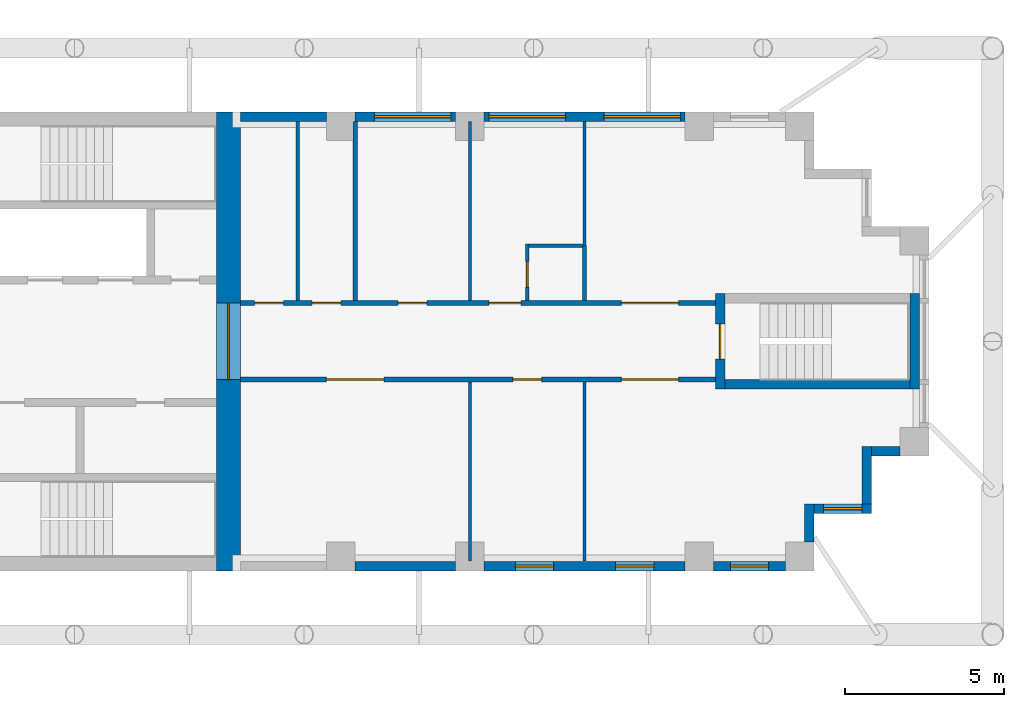
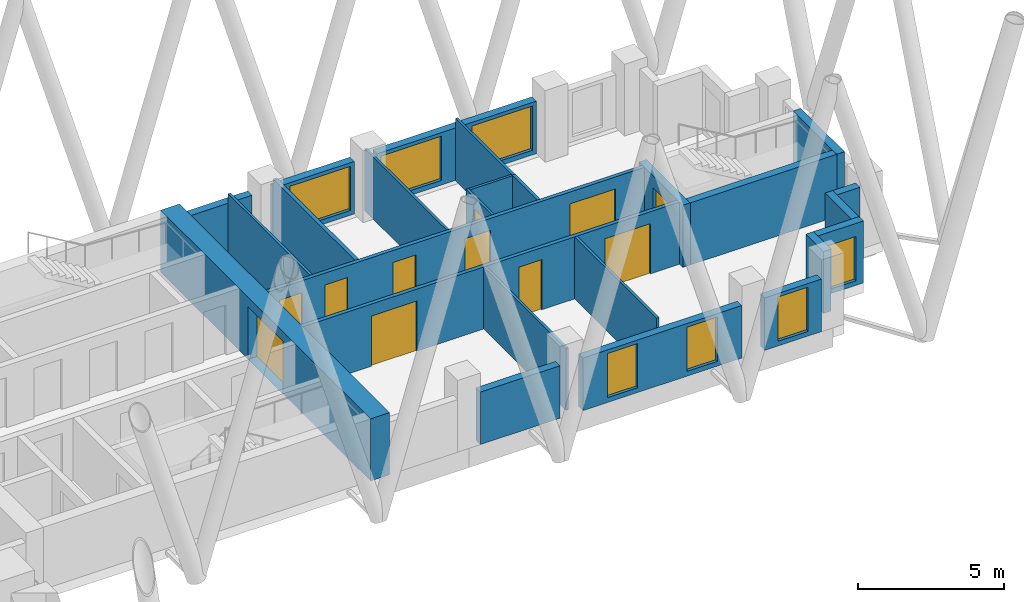
# One storey, part 8 of 12: 25 walls, 11 doors, 7 windows, 18 openings.
"""IFC4 building model written with IfcOpenShell, lengths in metres."""

import ifcopenshell
import ifcopenshell.guid

model = None  # the IFC model being written
_history = None  # IfcOwnerHistory: only IFC2X3 demands one
_inside = {}  # id of a spatial element -> (the spatial element, [elements in it])
_under = {}  # id of a project, library or spatial element -> (it, [spatial elements below it])
_declared = {}  # id of a project -> (the project, [libraries it declares])
_typed = {}  # id of a type object -> (the type object, [elements of that type])
_made_of = {}  # id of a material, layer set ... -> (it, [elements and type objects made of it])


def new_model(schema):
    """Start an empty IFC model of exactly this schema.

    Asked for "IFC4X3", IfcOpenShell would pick the latest addendum, in which some entities
    have other attributes; the version numbers below select the first issue.
    IFC2X3 requires an IfcOwnerHistory on every rooted entity: one is made here for all.
    """
    global model, _history
    if schema == "IFC4X3":
        model = ifcopenshell.file(schema_version=(4, 3, 0, 0))
    else:
        model = ifcopenshell.file(schema=schema)
    _inside.clear()
    _under.clear()
    _declared.clear()
    _typed.clear()
    _made_of.clear()
    _history = None
    if model.schema == "IFC2X3":
        org = make("IfcOrganization", Name="unknown")
        user = make(
            "IfcPersonAndOrganization",
            ThePerson=make("IfcPerson", FamilyName="unknown"),
            TheOrganization=org,
        )
        app = make(
            "IfcApplication",
            ApplicationDeveloper=org,
            Version="unknown",
            ApplicationFullName="unknown",
            ApplicationIdentifier="unknown",
        )
        _history = make(
            "IfcOwnerHistory",
            OwningUser=user,
            OwningApplication=app,
            ChangeAction="ADDED",
            CreationDate=0,
        )
    return model


def make(cls, **values):
    """One entity of the class cls with the attributes given. An attribute that is None is left unset."""
    return model.create_entity(
        cls, **{name: value for name, value in values.items() if value is not None}
    )


def rooted(cls, **values):
    """An entity with a GlobalId (a new one), such as an element, a storey or a relation."""
    return make(cls, GlobalId=ifcopenshell.guid.new(), OwnerHistory=_history, **values)


def si_unit(unit_type, name, prefix=None):
    """IfcSIUnit, for example si_unit("LENGTHUNIT", "METRE", prefix="MILLI")."""
    return make("IfcSIUnit", UnitType=unit_type, Prefix=prefix, Name=name)


def assignment(units):
    """IfcUnitAssignment: the units of a project."""
    return None if units is None else make("IfcUnitAssignment", Units=units)


def point(xyz):
    """IfcCartesianPoint."""
    return None if xyz is None else make("IfcCartesianPoint", Coordinates=xyz)


def direction(xyz):
    """IfcDirection."""
    return None if xyz is None else make("IfcDirection", DirectionRatios=xyz)


def frame(location, z_axis=None, x_axis=None):
    """IfcAxis2Placement3D, a coordinate frame: its origin and axes. An axis left out is left unset."""
    return make(
        "IfcAxis2Placement3D",
        Location=point(location),
        Axis=direction(z_axis),
        RefDirection=direction(x_axis),
    )


def frame_2d(location, x_axis=None):
    """IfcAxis2Placement2D, a coordinate frame in the plane: its origin and x axis."""
    return make(
        "IfcAxis2Placement2D", Location=point(location), RefDirection=direction(x_axis)
    )


def origin():
    """The frame at (0, 0, 0) with its axes left unset."""
    return frame((0.0, 0.0, 0.0))


def place(relative_to, where):
    """IfcLocalPlacement: puts the frame where relative to a parent placement (None: the world)."""
    return make(
        "IfcLocalPlacement", PlacementRelTo=relative_to, RelativePlacement=where
    )


def context(
    kind, dimensions, precision=None, world=None, true_north=None, identifier=None
):
    """IfcGeometricRepresentationContext, for example the 3D "Model" context."""
    return make(
        "IfcGeometricRepresentationContext",
        ContextIdentifier=identifier,
        ContextType=kind,
        CoordinateSpaceDimension=dimensions,
        Precision=precision,
        WorldCoordinateSystem=world,
        TrueNorth=true_north,
    )


def subcontext(parent, identifier, kind, view, scale=None):
    """IfcGeometricRepresentationSubContext, for example "Body" below "Model"."""
    return make(
        "IfcGeometricRepresentationSubContext",
        ContextIdentifier=identifier,
        ContextType=kind,
        ParentContext=parent,
        TargetScale=scale,
        TargetView=view,
    )


def project(units=None, contexts=None):
    """IfcProject with its units and contexts."""
    return rooted(
        "IfcProject",
        Name="project",
        RepresentationContexts=contexts,
        UnitsInContext=assignment(units),
    )


def spatial(cls, under=None, at=None, **own):
    """A site, building, storey or space (cls), placed at a placement, below another one or the project."""
    s = rooted(cls, ObjectPlacement=at, **own)
    if under is not None:
        _under.setdefault(under.id(), (under, []))[1].append(s)
    return s


def profile(cls, at=None, kind="AREA", **sizes):
    """A parametric profile (cls). Its sizes go by their IFC names, for example OverallWidth=200.0."""
    return make(cls, ProfileType=kind, Position=at, **sizes)


def rectangle(**sizes):
    """IfcRectangleProfileDef."""
    return profile("IfcRectangleProfileDef", **sizes)


def extrude(swept, where, along, depth):
    """IfcExtrudedAreaSolid: the profile swept, set in the frame where, extruded along a direction by depth."""
    return make(
        "IfcExtrudedAreaSolid",
        SweptArea=swept,
        Position=where,
        ExtrudedDirection=direction(along),
        Depth=depth,
    )


def shape(context_of_items, identifier, shape_type, items):
    """IfcShapeRepresentation: the items that make up one representation, for example the "Body"."""
    return make(
        "IfcShapeRepresentation",
        ContextOfItems=context_of_items,
        RepresentationIdentifier=identifier,
        RepresentationType=shape_type,
        Items=items,
    )


def material(Name=None, Category=None):
    """IfcMaterial."""
    return make("IfcMaterial", Name=Name, Category=Category)


def layer(
    of_material, thickness, ventilated=None, Name=None, Category=None, Priority=None
):
    """IfcMaterialLayer: one layer of a wall or slab, of a material (None: an air gap)."""
    return make(
        "IfcMaterialLayer",
        Material=of_material,
        LayerThickness=thickness,
        IsVentilated=ventilated,
        Name=Name,
        Category=Category,
        Priority=Priority,
    )


def layer_set(layers, Name=None):
    """IfcMaterialLayerSet."""
    return make("IfcMaterialLayerSet", MaterialLayers=layers, LayerSetName=Name)


def made_of(thing, what):
    """Note that an element or type object is made of a material, layer set ...; save() writes the relation."""
    if what is not None:
        _made_of.setdefault(what.id(), (what, []))[1].append(thing)
    return thing


def type_object(cls, material=None, **own):
    """A type object (cls), such as IfcWallType, which elements share."""
    return made_of(rooted(cls, **own), material)


def element(
    cls,
    number,
    at=None,
    inside=None,
    cuts=None,
    type_object=None,
    material=None,
    context=None,
    identifier="Body",
    shape_type=None,
    held_by="IfcProductDefinitionShape",
    body=None,
    shapes=None,
    **own,
):
    """One element of the class cls, such as IfcWall. Its Tag is "e" and its number.

    at: its placement. inside: the storey or other place that contains it. cuts: it is an
    opening in that element (IfcRelVoidsElement). A single representation is given by context,
    identifier, shape_type and body (its items); several are given by shapes. held_by: the class
    of the entity that holds the representations. save() writes the other relations.
    """
    e = rooted(cls, Tag="e%d" % number, ObjectPlacement=at, **own)
    if body is not None:
        shapes = [shape(context, identifier, shape_type, body)]
    if shapes is not None:
        e.Representation = make(held_by, Representations=shapes)
    if inside is not None:
        _inside.setdefault(inside.id(), (inside, []))[1].append(e)
    if cuts is not None:
        rooted(
            "IfcRelVoidsElement", RelatingBuildingElement=cuts, RelatedOpeningElement=e
        )
    if type_object is not None:
        _typed.setdefault(type_object.id(), (type_object, []))[1].append(e)
    return made_of(e, material)


def fill(opening, filler):
    """IfcRelFillsElement: the door or window that sits in an opening."""
    return rooted(
        "IfcRelFillsElement",
        RelatingOpeningElement=opening,
        RelatedBuildingElement=filler,
    )


def aggregate(whole, parts):
    """IfcRelAggregates: a whole, such as a stair, and the parts it consists of."""
    return rooted("IfcRelAggregates", RelatingObject=whole, RelatedObjects=parts)


def save(model, path):
    """Write the relations noted so far, then the file.

    IfcRelAggregates (storeys below a building ...), IfcRelContainedInSpatialStructure (elements
    in a storey), IfcRelDefinesByType, IfcRelAssociatesMaterial and IfcRelDeclares: one each for
    every whole, place, type object, material and project.
    """
    for whole, parts in _under.values():
        aggregate(whole, parts)
    for where, things in _inside.values():
        rooted(
            "IfcRelContainedInSpatialStructure",
            RelatedElements=things,
            RelatingStructure=where,
        )
    for kind, things in _typed.values():
        rooted("IfcRelDefinesByType", RelatedObjects=things, RelatingType=kind)
    for what, things in _made_of.values():
        rooted("IfcRelAssociatesMaterial", RelatedObjects=things, RelatingMaterial=what)
    for by, libraries in _declared.values():
        rooted("IfcRelDeclares", RelatingContext=by, RelatedDefinitions=libraries)
    model.write(path)


model = new_model("IFC4")

# Units and contexts
model_context = context("Model", 3, precision=1e-05, world=origin(), true_north=direction((0.0, 1.0)))
body_context = subcontext(model_context, "Body", "Model", "MODEL_VIEW")
ifc_project = project(units=[si_unit("LENGTHUNIT", "METRE"), si_unit("AREAUNIT", "SQUARE_METRE"), si_unit("VOLUMEUNIT", "CUBIC_METRE"), si_unit("PLANEANGLEUNIT", "RADIAN"), si_unit("MASSUNIT", "GRAM", prefix="KILO")], contexts=[model_context])

# Site, building, storey
site_placement = place(None, origin())
site = spatial("IfcSite", under=ifc_project, at=site_placement, CompositionType="ELEMENT")
building_placement = place(site_placement, origin())
building = spatial("IfcBuilding", under=site, at=building_placement, Name="Fustian Cross Tower", CompositionType="ELEMENT")
storey_placement = place(building_placement, frame((0.0, 0.0, 141.300048828125)))
storey = spatial("IfcBuildingStorey", under=building, at=storey_placement, Name="L44", CompositionType="ELEMENT", Elevation=141.300048828125)

# Wall, openings, doors
ifc_material_1 = material(Name="Plasterboard on steel stud", Category="steel")
ifc_layer_1 = layer(ifc_material_1, 0.14990234375)
ifc_layer_set_1 = layer_set([ifc_layer_1], Name="Plasterboard on steel stud")
wall_type_1 = type_object("IfcWallType", Name="COMPARTMENT WALL 150 EI 60", PredefinedType="PARTITIONING", material=ifc_layer_set_1)
wall_1_placement = place(storey_placement, frame((21.60009765625, -1.199951171875, 0.0), z_axis=(0.0, 0.0, 1.0), x_axis=(1.0, 0.0, 0.0)))
wall_1 = element("IfcWall", 1, at=wall_1_placement, inside=storey, type_object=wall_type_1, Name="Partition 36", PredefinedType="PARTITIONING", context=body_context, shape_type="SweptSolid", body=[
    extrude(rectangle(XDim=14.89990234375, YDim=0.14990234375, at=frame_2d((7.449951171875, 0.0))), origin(), (0.0, 0.0, 1.0), 2.599853515625),
])
opening_1_placement = place(wall_1_placement, frame((2.699951171875, 0.0, 0.0)))
opening_1 = element("IfcOpeningElement", 2, at=opening_1_placement, cuts=wall_1, Name="Opening D20011", PredefinedType="OPENING", context=body_context, shape_type="SweptSolid", body=[
    extrude(rectangle(XDim=1.800048828125, YDim=2.10009765625, at=frame_2d((0.89990234375, 1.050048828125))), frame((0.0, 0.0849609375, 0.0), z_axis=(0.0, -1.0, 0.0), x_axis=(1.0, 0.0, 0.0)), (0.0, 0.0, 1.0), 0.169921875),
])
opening_2_placement = place(wall_1_placement, frame((8.550048828125, 0.0, 0.0)))
opening_2 = element("IfcOpeningElement", 3, at=opening_2_placement, cuts=wall_1, Name="Opening D20012", PredefinedType="OPENING", context=body_context, shape_type="SweptSolid", body=[
    extrude(rectangle(XDim=0.89990234375, YDim=2.10009765625, at=frame_2d((0.449951171875, 1.050048828125))), frame((0.0, 0.0849609375, 0.0), z_axis=(0.0, -1.0, 0.0), x_axis=(1.0, 0.0, 0.0)), (0.0, 0.0, 1.0), 0.169921875),
])
opening_3_placement = place(wall_1_placement, frame((11.949951171875, 0.0, 0.0)))
opening_3 = element("IfcOpeningElement", 4, at=opening_3_placement, cuts=wall_1, Name="Opening D20013", PredefinedType="OPENING", context=body_context, shape_type="SweptSolid", body=[
    extrude(rectangle(XDim=1.800048828125, YDim=2.10009765625, at=frame_2d((0.89990234375, 1.050048828125))), frame((0.0, 0.0849609375, 0.0), z_axis=(0.0, -1.0, 0.0), x_axis=(1.0, 0.0, 0.0)), (0.0, 0.0, 1.0), 0.169921875),
])
ifc_material_2 = material(Name="Timber fire door set", Category="wood")
door_type_1 = type_object("IfcDoorType", Name="FIRE DOUBLE DOOR 1800 FD30S", OperationType="DOUBLE_DOOR_DOUBLE_SWING", PredefinedType="DOOR", material=ifc_material_2)
door_1_placement = place(opening_1_placement, origin())
door_1 = element("IfcDoor", 5, at=door_1_placement, inside=storey, type_object=door_type_1, Name="Door D20011", OperationType="DOUBLE_DOOR_DOUBLE_SWING", OverallHeight=2.10009765625, OverallWidth=1.800048828125, PredefinedType="DOOR", context=body_context, shape_type="SweptSolid", body=[
    extrude(rectangle(XDim=1.800048828125, YDim=2.10009765625, at=frame_2d((0.89990234375, 1.050048828125))), frame((0.0, 0.02490234375, 0.0), z_axis=(0.0, -1.0, 0.0), x_axis=(1.0, 0.0, 0.0)), (0.0, 0.0, 1.0), 0.050048828125),
])
fill(opening_1, door_1)
door_2_placement = place(opening_3_placement, origin())
door_2 = element("IfcDoor", 6, at=door_2_placement, inside=storey, type_object=door_type_1, Name="Door D20013", OperationType="DOUBLE_DOOR_DOUBLE_SWING", OverallHeight=2.10009765625, OverallWidth=1.800048828125, PredefinedType="DOOR", context=body_context, shape_type="SweptSolid", body=[
    extrude(rectangle(XDim=1.800048828125, YDim=2.10009765625, at=frame_2d((0.89990234375, 1.050048828125))), frame((0.0, 0.02490234375, 0.0), z_axis=(0.0, -1.0, 0.0), x_axis=(1.0, 0.0, 0.0)), (0.0, 0.0, 1.0), 0.050048828125),
])
fill(opening_3, door_2)
ifc_material_3 = material(Name="Timber fire door set", Category="wood")
door_type_2 = type_object("IfcDoorType", Name="FIRE SWING DOOR 900 FD30S", OperationType="SINGLE_SWING_LEFT", PredefinedType="DOOR", material=ifc_material_3)
door_3_placement = place(opening_2_placement, frame((0.89990234375, 0.0, 0.0), z_axis=(0.0, 0.0, 1.0), x_axis=(-1.0, 0.0, 0.0)))
door_3 = element("IfcDoor", 7, at=door_3_placement, inside=storey, type_object=door_type_2, Name="Door D20012", OperationType="SINGLE_SWING_RIGHT", OverallHeight=2.10009765625, OverallWidth=0.89990234375, PredefinedType="DOOR", context=body_context, shape_type="SweptSolid", body=[
    extrude(rectangle(XDim=0.89990234375, YDim=2.10009765625, at=frame_2d((0.449951171875, 1.050048828125))), frame((0.0, 0.02490234375, 0.0), z_axis=(0.0, -1.0, 0.0), x_axis=(1.0, 0.0, 0.0)), (0.0, 0.0, 1.0), 0.050048828125),
])
fill(opening_2, door_3)

wall_2_placement = place(storey_placement, frame((21.60009765625, 1.199951171875, 0.0), z_axis=(0.0, 0.0, 1.0), x_axis=(1.0, 0.0, 0.0)))
wall_2 = element("IfcWall", 8, at=wall_2_placement, inside=storey, type_object=wall_type_1, Name="Partition 37", PredefinedType="PARTITIONING", context=body_context, shape_type="SweptSolid", body=[
    extrude(rectangle(XDim=14.89990234375, YDim=0.14990234375, at=frame_2d((7.449951171875, 0.0))), origin(), (0.0, 0.0, 1.0), 2.599853515625),
])
opening_4_placement = place(wall_2_placement, frame((0.449951171875, 0.0, 0.0)))
opening_4 = element("IfcOpeningElement", 9, at=opening_4_placement, cuts=wall_2, Name="Opening D20005", PredefinedType="OPENING", context=body_context, shape_type="SweptSolid", body=[
    extrude(rectangle(XDim=0.89990234375, YDim=2.10009765625, at=frame_2d((0.449951171875, 1.050048828125))), frame((0.0, 0.0849609375, 0.0), z_axis=(0.0, -1.0, 0.0), x_axis=(1.0, 0.0, 0.0)), (0.0, 0.0, 1.0), 0.169921875),
])
opening_5_placement = place(wall_2_placement, frame((2.25, 0.0, 0.0)))
opening_5 = element("IfcOpeningElement", 10, at=opening_5_placement, cuts=wall_2, Name="Opening D20006", PredefinedType="OPENING", context=body_context, shape_type="SweptSolid", body=[
    extrude(rectangle(XDim=0.89990234375, YDim=2.10009765625, at=frame_2d((0.449951171875, 1.050048828125))), frame((0.0, 0.0849609375, 0.0), z_axis=(0.0, -1.0, 0.0), x_axis=(1.0, 0.0, 0.0)), (0.0, 0.0, 1.0), 0.169921875),
])
opening_6_placement = place(wall_2_placement, frame((4.949951171875, 0.0, 0.0)))
opening_6 = element("IfcOpeningElement", 11, at=opening_6_placement, cuts=wall_2, Name="Opening D20007", PredefinedType="OPENING", context=body_context, shape_type="SweptSolid", body=[
    extrude(rectangle(XDim=0.89990234375, YDim=2.10009765625, at=frame_2d((0.449951171875, 1.050048828125))), frame((0.0, 0.0849609375, 0.0), z_axis=(0.0, -1.0, 0.0), x_axis=(1.0, 0.0, 0.0)), (0.0, 0.0, 1.0), 0.169921875),
])
opening_7_placement = place(wall_2_placement, frame((7.800048828125, 0.0, 0.0)))
opening_7 = element("IfcOpeningElement", 12, at=opening_7_placement, cuts=wall_2, Name="Opening D20009", PredefinedType="OPENING", context=body_context, shape_type="SweptSolid", body=[
    extrude(rectangle(XDim=1.0, YDim=2.10009765625, at=frame_2d((0.5, 1.050048828125))), frame((0.0, 0.0849609375, 0.0), z_axis=(0.0, -1.0, 0.0), x_axis=(1.0, 0.0, 0.0)), (0.0, 0.0, 1.0), 0.169921875),
])
opening_8_placement = place(wall_2_placement, frame((11.949951171875, 0.0, 0.0)))
opening_8 = element("IfcOpeningElement", 13, at=opening_8_placement, cuts=wall_2, Name="Opening D20010", PredefinedType="OPENING", context=body_context, shape_type="SweptSolid", body=[
    extrude(rectangle(XDim=1.800048828125, YDim=2.10009765625, at=frame_2d((0.89990234375, 1.050048828125))), frame((0.0, 0.0849609375, 0.0), z_axis=(0.0, -1.0, 0.0), x_axis=(1.0, 0.0, 0.0)), (0.0, 0.0, 1.0), 0.169921875),
])
door_4_placement = place(opening_8_placement, frame((1.800048828125, 0.0, 0.0), z_axis=(0.0, 0.0, 1.0), x_axis=(-1.0, 0.0, 0.0)))
door_4 = element("IfcDoor", 14, at=door_4_placement, inside=storey, type_object=door_type_1, Name="Door D20010", OperationType="DOUBLE_DOOR_DOUBLE_SWING", OverallHeight=2.10009765625, OverallWidth=1.800048828125, PredefinedType="DOOR", context=body_context, shape_type="SweptSolid", body=[
    extrude(rectangle(XDim=1.800048828125, YDim=2.10009765625, at=frame_2d((0.89990234375, 1.050048828125))), frame((0.0, 0.02490234375, 0.0), z_axis=(0.0, -1.0, 0.0), x_axis=(1.0, 0.0, 0.0)), (0.0, 0.0, 1.0), 0.050048828125),
])
fill(opening_8, door_4)
ifc_material_4 = material(Name="Timber fire door set", Category="wood")
door_type_3 = type_object("IfcDoorType", Name="FIRE SWING DOOR 1000 FD30S", OperationType="SINGLE_SWING_LEFT", PredefinedType="DOOR", material=ifc_material_4)
door_5_placement = place(opening_7_placement, origin())
door_5 = element("IfcDoor", 15, at=door_5_placement, inside=storey, type_object=door_type_3, Name="Door D20009", OperationType="SINGLE_SWING_RIGHT", OverallHeight=2.10009765625, OverallWidth=1.0, PredefinedType="DOOR", context=body_context, shape_type="SweptSolid", body=[
    extrude(rectangle(XDim=1.0, YDim=2.10009765625, at=frame_2d((0.5, 1.050048828125))), frame((0.0, 0.02490234375, 0.0), z_axis=(0.0, -1.0, 0.0), x_axis=(1.0, 0.0, 0.0)), (0.0, 0.0, 1.0), 0.050048828125),
])
fill(opening_7, door_5)
door_6_placement = place(opening_4_placement, origin())
door_6 = element("IfcDoor", 16, at=door_6_placement, inside=storey, type_object=door_type_2, Name="Door D20005", OperationType="SINGLE_SWING_RIGHT", OverallHeight=2.10009765625, OverallWidth=0.89990234375, PredefinedType="DOOR", context=body_context, shape_type="SweptSolid", body=[
    extrude(rectangle(XDim=0.89990234375, YDim=2.10009765625, at=frame_2d((0.449951171875, 1.050048828125))), frame((0.0, 0.02490234375, 0.0), z_axis=(0.0, -1.0, 0.0), x_axis=(1.0, 0.0, 0.0)), (0.0, 0.0, 1.0), 0.050048828125),
])
fill(opening_4, door_6)
door_7_placement = place(opening_5_placement, origin())
door_7 = element("IfcDoor", 17, at=door_7_placement, inside=storey, type_object=door_type_2, Name="Door D20006", OperationType="SINGLE_SWING_RIGHT", OverallHeight=2.10009765625, OverallWidth=0.89990234375, PredefinedType="DOOR", context=body_context, shape_type="SweptSolid", body=[
    extrude(rectangle(XDim=0.89990234375, YDim=2.10009765625, at=frame_2d((0.449951171875, 1.050048828125))), frame((0.0, 0.02490234375, 0.0), z_axis=(0.0, -1.0, 0.0), x_axis=(1.0, 0.0, 0.0)), (0.0, 0.0, 1.0), 0.050048828125),
])
fill(opening_5, door_7)
door_8_placement = place(opening_6_placement, origin())
door_8 = element("IfcDoor", 18, at=door_8_placement, inside=storey, type_object=door_type_2, Name="Door D20007", OperationType="SINGLE_SWING_LEFT", OverallHeight=2.10009765625, OverallWidth=0.89990234375, PredefinedType="DOOR", context=body_context, shape_type="SweptSolid", body=[
    extrude(rectangle(XDim=0.89990234375, YDim=2.10009765625, at=frame_2d((0.449951171875, 1.050048828125))), frame((0.0, 0.02490234375, 0.0), z_axis=(0.0, -1.0, 0.0), x_axis=(1.0, 0.0, 0.0)), (0.0, 0.0, 1.0), 0.050048828125),
])
fill(opening_6, door_8)

# Wall
wall_3_placement = place(storey_placement, frame((25.199951171875, 1.27490234375, 0.0), z_axis=(0.0, 0.0, 1.0), x_axis=(0.0, 1.0, 0.0)))
element("IfcWall", 19, at=wall_3_placement, inside=storey, type_object=wall_type_1, Name="Partition 39", PredefinedType="PARTITIONING", context=body_context, shape_type="SweptSolid", body=[
    extrude(rectangle(XDim=5.625, YDim=0.14990234375, at=frame_2d((2.8125, 0.0))), origin(), (0.0, 0.0, 1.0), 2.599853515625),
])

# Wall, opening, door
ifc_material_5 = material(Name="Concrete C60/75", Category="concrete")
ifc_layer_2 = layer(ifc_material_5, 0.75)
ifc_layer_set_2 = layer_set([ifc_layer_2], Name="Concrete C60/75")
wall_type_2 = type_object("IfcWallType", Name="CORE END WALL 750 C60/75", PredefinedType="SHEAR", material=ifc_layer_set_2)
wall_4_placement = place(storey_placement, frame((21.22509765625, -7.199951171875, 0.0), z_axis=(0.0, 0.0, 1.0), x_axis=(0.0, 1.0, 0.0)))
wall_4 = element("IfcWall", 20, at=wall_4_placement, inside=storey, type_object=wall_type_2, Name="Core end wall", PredefinedType="SHEAR", context=body_context, shape_type="SweptSolid", body=[
    extrude(rectangle(XDim=14.39990234375, YDim=0.75, at=frame_2d((7.199951171875, 0.0))), origin(), (0.0, 0.0, 1.0), 2.599853515625),
])
opening_9_placement = place(wall_4_placement, frame((6.0, 0.0, 0.0)))
opening_9 = element("IfcOpeningElement", 21, at=opening_9_placement, cuts=wall_4, Name="Opening CD-18-13", PredefinedType="OPENING", context=body_context, shape_type="SweptSolid", body=[
    extrude(rectangle(XDim=2.39990234375, YDim=2.199951171875, at=frame_2d((1.199951171875, 1.10009765625))), frame((0.0, 0.385009765625, 0.0), z_axis=(0.0, -1.0, 0.0), x_axis=(1.0, 0.0, 0.0)), (0.0, 0.0, 1.0), 0.77001953125),
])
ifc_material_6 = material(Name="Steel", Category="steel")
door_type_4 = type_object("IfcDoorType", Name="FIRE DOOR FD30S DOUBLE 2400X2200", OperationType="DOUBLE_DOOR_DOUBLE_SWING", PredefinedType="DOOR", material=ifc_material_6)
door_9_placement = place(opening_9_placement, origin())
door_9 = element("IfcDoor", 22, at=door_9_placement, inside=storey, type_object=door_type_4, Name="Core door CD-18-13", OperationType="DOUBLE_DOOR_DOUBLE_SWING", OverallHeight=2.199951171875, OverallWidth=2.39990234375, PredefinedType="DOOR", context=body_context, shape_type="SweptSolid", body=[
    extrude(rectangle(XDim=2.39990234375, YDim=2.199951171875, at=frame_2d((1.199951171875, 1.10009765625))), frame((0.0, 0.02490234375, 0.0), z_axis=(0.0, -1.0, 0.0), x_axis=(1.0, 0.0, 0.0)), (0.0, 0.0, 1.0), 0.050048828125),
])
fill(opening_9, door_9)

# Walls
ifc_material_7 = material(Name="Plasterboard on steel stud", Category="steel")
ifc_layer_3 = layer(ifc_material_7, 0.10009765625)
ifc_layer_set_3 = layer_set([ifc_layer_3], Name="Plasterboard on steel stud")
wall_type_3 = type_object("IfcWallType", Name="PARTITION 100 STUD", PredefinedType="PARTITIONING", material=ifc_layer_set_3)
for number, where, z_axis, x_axis, name in (
    (23, (23.39990234375, 1.27490234375, 0.0), (0.0, 0.0, 1.0), (0.0, 1.0, 0.0), "Partition 38"),
    (24, (28.800048828125, -6.89990234375, 0.0), (0.0, 0.0, 1.0), (0.0, 1.0, 0.0), "Partition 40"),
    (25, (28.800048828125, 1.27490234375, 0.0), (0.0, 0.0, 1.0), (0.0, 1.0, 0.0), "Partition 41"),
):
    element("IfcWall", number, at=place(storey_placement, frame(where, z_axis=z_axis, x_axis=x_axis)), inside=storey, type_object=wall_type_3, Name=name, PredefinedType="PARTITIONING", context=body_context, shape_type="SweptSolid", body=[
        extrude(rectangle(XDim=5.625, YDim=0.10009765625, at=frame_2d((2.8125, 0.0))), origin(), (0.0, 0.0, 1.0), 2.599853515625),
    ])

# Wall, opening, door
wall_5_placement = place(storey_placement, frame((30.60009765625, 1.27490234375, 0.0), z_axis=(0.0, 0.0, 1.0), x_axis=(0.0, 1.0, 0.0)))
wall_5 = element("IfcWall", 26, at=wall_5_placement, inside=storey, type_object=wall_type_3, Name="Partition 42", PredefinedType="PARTITIONING", context=body_context, shape_type="SweptSolid", body=[
    extrude(rectangle(XDim=1.775146484375, YDim=0.10009765625, at=frame_2d((0.8876953125, 0.0))), origin(), (0.0, 0.0, 1.0), 2.599853515625),
])
opening_10_placement = place(wall_5_placement, frame((0.425048828125, 0.0, 0.0)))
opening_10 = element("IfcOpeningElement", 27, at=opening_10_placement, cuts=wall_5, Name="Opening D20008", PredefinedType="OPENING", context=body_context, shape_type="SweptSolid", body=[
    extrude(rectangle(XDim=0.800048828125, YDim=2.10009765625, at=frame_2d((0.39990234375, 1.050048828125))), frame((0.0, 0.06005859375, 0.0), z_axis=(0.0, -1.0, 0.0), x_axis=(1.0, 0.0, 0.0)), (0.0, 0.0, 1.0), 0.1201171875),
])
ifc_material_8 = material(Name="Painted timber", Category="wood")
door_type_5 = type_object("IfcDoorType", Name="SWING DOOR 800", OperationType="SINGLE_SWING_LEFT", PredefinedType="DOOR", material=ifc_material_8)
door_10_placement = place(opening_10_placement, frame((0.800048828125, 0.0, 0.0), z_axis=(0.0, 0.0, 1.0), x_axis=(-1.0, 0.0, 0.0)))
door_10 = element("IfcDoor", 28, at=door_10_placement, inside=storey, type_object=door_type_5, Name="Door D20008", OperationType="SINGLE_SWING_LEFT", OverallHeight=2.10009765625, OverallWidth=0.800048828125, PredefinedType="DOOR", context=body_context, shape_type="SweptSolid", body=[
    extrude(rectangle(XDim=0.800048828125, YDim=2.10009765625, at=frame_2d((0.39990234375, 1.050048828125))), frame((0.0, 0.02490234375, 0.0), z_axis=(0.0, -1.0, 0.0), x_axis=(1.0, 0.0, 0.0)), (0.0, 0.0, 1.0), 0.050048828125),
])
fill(opening_10, door_10)

# Walls
wall_6_placement = place(storey_placement, frame((30.64990234375, 3.0, 0.0), z_axis=(0.0, 0.0, 1.0), x_axis=(1.0, 0.0, 0.0)))
element("IfcWall", 29, at=wall_6_placement, inside=storey, type_object=wall_type_3, Name="Partition 43", PredefinedType="PARTITIONING", context=body_context, shape_type="SweptSolid", body=[
    extrude(rectangle(XDim=1.6875, YDim=0.10009765625, at=frame_2d((0.84375, 0.0))), origin(), (0.0, 0.0, 1.0), 2.599853515625),
])
wall_7_placement = place(storey_placement, frame((32.39990234375, -6.89990234375, 0.0), z_axis=(0.0, 0.0, 1.0), x_axis=(0.0, 1.0, 0.0)))
element("IfcWall", 30, at=wall_7_placement, inside=storey, type_object=wall_type_3, Name="Partition 44", PredefinedType="PARTITIONING", context=body_context, shape_type="SweptSolid", body=[
    extrude(rectangle(XDim=5.625, YDim=0.10009765625, at=frame_2d((2.8125, 0.0))), origin(), (0.0, 0.0, 1.0), 2.599853515625),
])
wall_8_placement = place(storey_placement, frame((32.39990234375, 3.0, 0.0), z_axis=(0.0, 0.0, 1.0), x_axis=(0.0, 1.0, 0.0)))
element("IfcWall", 31, at=wall_8_placement, inside=storey, type_object=wall_type_3, Name="Partition 46", PredefinedType="PARTITIONING", context=body_context, shape_type="SweptSolid", body=[
    extrude(rectangle(XDim=3.89990234375, YDim=0.10009765625, at=frame_2d((1.949951171875, 0.0))), origin(), (0.0, 0.0, 1.0), 2.599853515625),
])

# Wall, opening, door
ifc_material_9 = material(Name="Concrete C50/60", Category="concrete")
ifc_layer_4 = layer(ifc_material_9, 0.300048828125)
ifc_layer_set_4 = layer_set([ifc_layer_4], Name="Concrete C50/60")
wall_type_4 = type_object("IfcWallType", Name="STAIR ENCLOSURE WALL 300 C50/60", PredefinedType="SHEAR", material=ifc_layer_set_4)
wall_9_placement = place(storey_placement, frame((36.64990234375, -1.5, 0.0), z_axis=(0.0, 0.0, 1.0), x_axis=(0.0, 1.0, 0.0)))
wall_9 = element("IfcWall", 32, at=wall_9_placement, inside=storey, type_object=wall_type_4, Name="Stair enclosure wall", PredefinedType="SHEAR", context=body_context, shape_type="SweptSolid", body=[
    extrude(rectangle(XDim=3.0, YDim=0.300048828125, at=frame_2d((1.5, 0.0))), origin(), (0.0, 0.0, 1.0), 2.599853515625),
])
opening_11_placement = place(wall_9_placement, frame((0.949951171875, 0.0, 0.0)))
opening_11 = element("IfcOpeningElement", 33, at=opening_11_placement, cuts=wall_9, Name="Opening CD-18-33", PredefinedType="OPENING", context=body_context, shape_type="SweptSolid", body=[
    extrude(rectangle(XDim=1.10009765625, YDim=2.10009765625, at=frame_2d((0.550048828125, 1.050048828125))), frame((0.0, 0.159912109375, 0.0), z_axis=(0.0, -1.0, 0.0), x_axis=(1.0, 0.0, 0.0)), (0.0, 0.0, 1.0), 0.320068359375),
])
ifc_material_10 = material(Name="Steel", Category="steel")
door_type_6 = type_object("IfcDoorType", Name="FIRE DOOR FD60S 1100X2100", OperationType="SINGLE_SWING_LEFT", PredefinedType="DOOR", material=ifc_material_10)
door_11_placement = place(opening_11_placement, frame((1.10009765625, 0.0, 0.0), z_axis=(0.0, 0.0, 1.0), x_axis=(-1.0, 0.0, 0.0)))
door_11 = element("IfcDoor", 34, at=door_11_placement, inside=storey, type_object=door_type_6, Name="Core door CD-18-33", OperationType="SINGLE_SWING_RIGHT", OverallHeight=2.10009765625, OverallWidth=1.10009765625, PredefinedType="DOOR", context=body_context, shape_type="SweptSolid", body=[
    extrude(rectangle(XDim=1.10009765625, YDim=2.10009765625, at=frame_2d((0.550048828125, 1.050048828125))), frame((0.0, 0.02490234375, 0.0), z_axis=(0.0, -1.0, 0.0), x_axis=(1.0, 0.0, 0.0)), (0.0, 0.0, 1.0), 0.050048828125),
])
fill(opening_11, door_11)

# Walls
wall_10_placement = place(storey_placement, frame((42.75, -1.5, 0.0), z_axis=(0.0, 0.0, 1.0), x_axis=(0.0, 1.0, 0.0)))
element("IfcWall", 35, at=wall_10_placement, inside=storey, type_object=wall_type_4, Name="Stair enclosure wall", PredefinedType="SHEAR", context=body_context, shape_type="SweptSolid", body=[
    extrude(rectangle(XDim=3.0, YDim=0.300048828125, at=frame_2d((1.5, 0.0))), origin(), (0.0, 0.0, 1.0), 2.599853515625),
])
wall_11_placement = place(storey_placement, frame((36.800048828125, -1.35009765625, 0.0), z_axis=(0.0, 0.0, 1.0), x_axis=(1.0, 0.0, 0.0)))
element("IfcWall", 36, at=wall_11_placement, inside=storey, type_object=wall_type_4, Name="Stair enclosure wall", PredefinedType="SHEAR", context=body_context, shape_type="SweptSolid", body=[
    extrude(rectangle(XDim=5.800048828125, YDim=0.300048828125, at=frame_2d((2.89990234375, 0.0))), origin(), (0.0, 0.0, 1.0), 2.599853515625),
])
ifc_material_11 = material(Name="Plasterboard on steel stud", Category="steel")
ifc_layer_5 = layer(ifc_material_11, 0.125)
ifc_layer_set_5 = layer_set([ifc_layer_5], Name="Plasterboard on steel stud")
wall_type_5 = type_object("IfcWallType", Name="WET WALL 125 STUD", PredefinedType="PARTITIONING", material=ifc_layer_set_5)
wall_12_placement = place(storey_placement, frame((32.39990234375, 1.27490234375, 0.0), z_axis=(0.0, 0.0, 1.0), x_axis=(0.0, 1.0, 0.0)))
element("IfcWall", 37, at=wall_12_placement, inside=storey, type_object=wall_type_5, Name="Partition 45", PredefinedType="PARTITIONING", context=body_context, shape_type="SweptSolid", body=[
    extrude(rectangle(XDim=1.72509765625, YDim=0.125, at=frame_2d((0.862548828125, 0.0))), origin(), (0.0, 0.0, 1.0), 2.599853515625),
])
ifc_material_12 = material(Name="Dark aluminium cladding on insulated backing wall", Category="aluminium")
ifc_layer_6 = layer(ifc_material_12, 0.300048828125)
ifc_layer_set_6 = layer_set([ifc_layer_6], Name="Dark aluminium cladding on insulated backing wall")
wall_type_6 = type_object("IfcWallType", Name="XW1 EXTERNAL WALL 300", PredefinedType="SOLIDWALL", material=ifc_layer_set_6)
wall_13_placement = place(storey_placement, frame((25.199951171875, -7.050048828125, 0.0), z_axis=(0.0, 0.0, 1.0), x_axis=(1.0, 0.0, 0.0)))
element("IfcWall", 38, at=wall_13_placement, inside=storey, type_object=wall_type_6, Name="External wall", PredefinedType="SOLIDWALL", context=body_context, shape_type="SweptSolid", body=[
    extrude(rectangle(XDim=3.150146484375, YDim=0.300048828125, at=frame_2d((1.5751953125, 0.0))), origin(), (0.0, 0.0, 1.0), 2.199951171875),
])

# Wall, openings, windows
wall_14_placement = place(storey_placement, frame((29.25, -7.050048828125, 0.0), z_axis=(0.0, 0.0, 1.0), x_axis=(1.0, 0.0, 0.0)))
wall_14 = element("IfcWall", 39, at=wall_14_placement, inside=storey, type_object=wall_type_6, Name="External wall", PredefinedType="SOLIDWALL", context=body_context, shape_type="SweptSolid", body=[
    extrude(rectangle(XDim=6.300048828125, YDim=0.300048828125, at=frame_2d((3.14990234375, 0.0))), origin(), (0.0, 0.0, 1.0), 2.199951171875),
])
opening_12_placement = place(wall_14_placement, frame((0.97509765625, 0.0, 0.199951171875)))
opening_12 = element("IfcOpeningElement", 40, at=opening_12_placement, cuts=wall_14, Name="Opening WN3", PredefinedType="OPENING", context=body_context, shape_type="SweptSolid", body=[
    extrude(rectangle(XDim=1.199951171875, YDim=1.85009765625, at=frame_2d((0.60009765625, 0.925048828125))), frame((0.0, 0.159912109375, 0.0), z_axis=(0.0, -1.0, 0.0), x_axis=(1.0, 0.0, 0.0)), (0.0, 0.0, 1.0), 0.320068359375),
])
opening_13_placement = place(wall_14_placement, frame((4.125, 0.0, 0.199951171875)))
opening_13 = element("IfcOpeningElement", 41, at=opening_13_placement, cuts=wall_14, Name="Opening WN3", PredefinedType="OPENING", context=body_context, shape_type="SweptSolid", body=[
    extrude(rectangle(XDim=1.199951171875, YDim=1.85009765625, at=frame_2d((0.60009765625, 0.925048828125))), frame((0.0, 0.159912109375, 0.0), z_axis=(0.0, -1.0, 0.0), x_axis=(1.0, 0.0, 0.0)), (0.0, 0.0, 1.0), 0.320068359375),
])
ifc_material_13 = material(Name="Dark anodised aluminium and double glazing", Category="aluminium")
window_type_1 = type_object("IfcWindowType", Name="WN3 WINDOW 1200X1850", PartitioningType="SINGLE_PANEL", PredefinedType="WINDOW", material=ifc_material_13)
window_1_placement = place(opening_12_placement, origin())
window_1 = element("IfcWindow", 42, at=window_1_placement, inside=storey, type_object=window_type_1, Name="Window", OverallHeight=1.85009765625, OverallWidth=1.199951171875, PartitioningType="SINGLE_PANEL", PredefinedType="WINDOW", context=body_context, shape_type="SweptSolid", body=[
    extrude(rectangle(XDim=1.199951171875, YDim=1.85009765625, at=frame_2d((0.60009765625, 0.925048828125))), frame((0.0, 0.030029296875, 0.0), z_axis=(0.0, -1.0, 0.0), x_axis=(1.0, 0.0, 0.0)), (0.0, 0.0, 1.0), 0.06005859375),
])
fill(opening_12, window_1)
window_2_placement = place(opening_13_placement, origin())
window_2 = element("IfcWindow", 43, at=window_2_placement, inside=storey, type_object=window_type_1, Name="Window", OverallHeight=1.85009765625, OverallWidth=1.199951171875, PartitioningType="SINGLE_PANEL", PredefinedType="WINDOW", context=body_context, shape_type="SweptSolid", body=[
    extrude(rectangle(XDim=1.199951171875, YDim=1.85009765625, at=frame_2d((0.60009765625, 0.925048828125))), frame((0.0, 0.030029296875, 0.0), z_axis=(0.0, -1.0, 0.0), x_axis=(1.0, 0.0, 0.0)), (0.0, 0.0, 1.0), 0.06005859375),
])
fill(opening_13, window_2)

# Wall, opening, window
wall_15_placement = place(storey_placement, frame((36.449951171875, -7.050048828125, 0.0), z_axis=(0.0, 0.0, 1.0), x_axis=(1.0, 0.0, 0.0)))
wall_15 = element("IfcWall", 44, at=wall_15_placement, inside=storey, type_object=wall_type_6, Name="External wall", PredefinedType="SOLIDWALL", context=body_context, shape_type="SweptSolid", body=[
    extrude(rectangle(XDim=2.25, YDim=0.300048828125, at=frame_2d((1.125, 0.0))), origin(), (0.0, 0.0, 1.0), 2.199951171875),
])
opening_14_placement = place(wall_15_placement, frame((0.52490234375, 0.0, 0.199951171875)))
opening_14 = element("IfcOpeningElement", 45, at=opening_14_placement, cuts=wall_15, Name="Opening WN3", PredefinedType="OPENING", context=body_context, shape_type="SweptSolid", body=[
    extrude(rectangle(XDim=1.199951171875, YDim=1.85009765625, at=frame_2d((0.60009765625, 0.925048828125))), frame((0.0, 0.159912109375, 0.0), z_axis=(0.0, -1.0, 0.0), x_axis=(1.0, 0.0, 0.0)), (0.0, 0.0, 1.0), 0.320068359375),
])
window_3_placement = place(opening_14_placement, origin())
window_3 = element("IfcWindow", 46, at=window_3_placement, inside=storey, type_object=window_type_1, Name="Window", OverallHeight=1.85009765625, OverallWidth=1.199951171875, PartitioningType="SINGLE_PANEL", PredefinedType="WINDOW", context=body_context, shape_type="SweptSolid", body=[
    extrude(rectangle(XDim=1.199951171875, YDim=1.85009765625, at=frame_2d((0.60009765625, 0.925048828125))), frame((0.0, 0.030029296875, 0.0), z_axis=(0.0, -1.0, 0.0), x_axis=(1.0, 0.0, 0.0)), (0.0, 0.0, 1.0), 0.06005859375),
])
fill(opening_14, window_3)

# Wall
wall_16_placement = place(storey_placement, frame((39.449951171875, -6.300048828125, 0.0), z_axis=(0.0, 0.0, 1.0), x_axis=(0.0, 1.0, 0.0)))
element("IfcWall", 47, at=wall_16_placement, inside=storey, type_object=wall_type_6, Name="External wall", PredefinedType="SOLIDWALL", context=body_context, shape_type="SweptSolid", body=[
    extrude(rectangle(XDim=1.199951171875, YDim=0.300048828125, at=frame_2d((0.60009765625, 0.0))), origin(), (0.0, 0.0, 1.0), 2.599853515625),
])

# Wall, opening, window
wall_17_placement = place(storey_placement, frame((39.60009765625, -5.25, 0.0), z_axis=(0.0, 0.0, 1.0), x_axis=(1.0, 0.0, 0.0)))
wall_17 = element("IfcWall", 48, at=wall_17_placement, inside=storey, type_object=wall_type_6, Name="External wall", PredefinedType="SOLIDWALL", context=body_context, shape_type="SweptSolid", body=[
    extrude(rectangle(XDim=1.7998046875, YDim=0.300048828125, at=frame_2d((0.89990234375, 0.0))), origin(), (0.0, 0.0, 1.0), 2.599853515625),
])
opening_15_placement = place(wall_17_placement, frame((0.300048828125, 0.0, 0.199951171875)))
opening_15 = element("IfcOpeningElement", 49, at=opening_15_placement, cuts=wall_17, Name="Opening WN3", PredefinedType="OPENING", context=body_context, shape_type="SweptSolid", body=[
    extrude(rectangle(XDim=1.199951171875, YDim=1.85009765625, at=frame_2d((0.60009765625, 0.925048828125))), frame((0.0, 0.159912109375, 0.0), z_axis=(0.0, -1.0, 0.0), x_axis=(1.0, 0.0, 0.0)), (0.0, 0.0, 1.0), 0.320068359375),
])
window_4_placement = place(opening_15_placement, origin())
window_4 = element("IfcWindow", 50, at=window_4_placement, inside=storey, type_object=window_type_1, Name="Window", OverallHeight=1.85009765625, OverallWidth=1.199951171875, PartitioningType="SINGLE_PANEL", PredefinedType="WINDOW", context=body_context, shape_type="SweptSolid", body=[
    extrude(rectangle(XDim=1.199951171875, YDim=1.85009765625, at=frame_2d((0.60009765625, 0.925048828125))), frame((0.0, 0.030029296875, 0.0), z_axis=(0.0, -1.0, 0.0), x_axis=(1.0, 0.0, 0.0)), (0.0, 0.0, 1.0), 0.06005859375),
])
fill(opening_15, window_4)

# Walls
wall_18_placement = place(storey_placement, frame((41.25, -5.10009765625, 0.0), z_axis=(0.0, 0.0, 1.0), x_axis=(0.0, 1.0, 0.0)))
element("IfcWall", 51, at=wall_18_placement, inside=storey, type_object=wall_type_6, Name="External wall", PredefinedType="SOLIDWALL", context=body_context, shape_type="SweptSolid", body=[
    extrude(rectangle(XDim=1.800048828125, YDim=0.300048828125, at=frame_2d((0.89990234375, 0.0))), origin(), (0.0, 0.0, 1.0), 2.599853515625),
])
wall_19_placement = place(storey_placement, frame((41.39990234375, -3.449951171875, 0.0), z_axis=(0.0, 0.0, 1.0), x_axis=(1.0, 0.0, 0.0)))
element("IfcWall", 52, at=wall_19_placement, inside=storey, type_object=wall_type_6, Name="External wall", PredefinedType="SOLIDWALL", context=body_context, shape_type="SweptSolid", body=[
    extrude(rectangle(XDim=0.900146484375, YDim=0.300048828125, at=frame_2d((0.4501953125, 0.0))), origin(), (0.0, 0.0, 1.0), 2.599853515625),
])

# Wall, openings, windows
wall_20_placement = place(storey_placement, frame((35.550048828125, 7.050048828125, 0.0), z_axis=(0.0, 0.0, 1.0), x_axis=(-1.0, 0.0, 0.0)))
wall_20 = element("IfcWall", 53, at=wall_20_placement, inside=storey, type_object=wall_type_6, Name="External wall", PredefinedType="SOLIDWALL", context=body_context, shape_type="SweptSolid", body=[
    extrude(rectangle(XDim=6.300048828125, YDim=0.300048828125, at=frame_2d((3.14990234375, 0.0))), origin(), (0.0, 0.0, 1.0), 2.199951171875),
])
opening_16_placement = place(wall_20_placement, frame((0.14990234375, 0.0, 0.199951171875)))
opening_16 = element("IfcOpeningElement", 54, at=opening_16_placement, cuts=wall_20, Name="Opening WN1", PredefinedType="OPENING", context=body_context, shape_type="SweptSolid", body=[
    extrude(rectangle(XDim=2.39990234375, YDim=1.85009765625, at=frame_2d((1.199951171875, 0.925048828125))), frame((0.0, 0.159912109375, 0.0), z_axis=(0.0, -1.0, 0.0), x_axis=(1.0, 0.0, 0.0)), (0.0, 0.0, 1.0), 0.320068359375),
])
opening_17_placement = place(wall_20_placement, frame((3.75, 0.0, 0.199951171875)))
opening_17 = element("IfcOpeningElement", 55, at=opening_17_placement, cuts=wall_20, Name="Opening WN1", PredefinedType="OPENING", context=body_context, shape_type="SweptSolid", body=[
    extrude(rectangle(XDim=2.39990234375, YDim=1.85009765625, at=frame_2d((1.199951171875, 0.925048828125))), frame((0.0, 0.159912109375, 0.0), z_axis=(0.0, -1.0, 0.0), x_axis=(1.0, 0.0, 0.0)), (0.0, 0.0, 1.0), 0.320068359375),
])
ifc_material_14 = material(Name="Dark anodised aluminium and double glazing", Category="aluminium")
window_type_2 = type_object("IfcWindowType", Name="WN1 WINDOW 2400X1850", PartitioningType="SINGLE_PANEL", PredefinedType="WINDOW", material=ifc_material_14)
window_5_placement = place(opening_16_placement, origin())
window_5 = element("IfcWindow", 56, at=window_5_placement, inside=storey, type_object=window_type_2, Name="Window", OverallHeight=1.85009765625, OverallWidth=2.39990234375, PartitioningType="SINGLE_PANEL", PredefinedType="WINDOW", context=body_context, shape_type="SweptSolid", body=[
    extrude(rectangle(XDim=2.39990234375, YDim=1.85009765625, at=frame_2d((1.199951171875, 0.925048828125))), frame((0.0, 0.030029296875, 0.0), z_axis=(0.0, -1.0, 0.0), x_axis=(1.0, 0.0, 0.0)), (0.0, 0.0, 1.0), 0.06005859375),
])
fill(opening_16, window_5)
window_6_placement = place(opening_17_placement, origin())
window_6 = element("IfcWindow", 57, at=window_6_placement, inside=storey, type_object=window_type_2, Name="Window", OverallHeight=1.85009765625, OverallWidth=2.39990234375, PartitioningType="SINGLE_PANEL", PredefinedType="WINDOW", context=body_context, shape_type="SweptSolid", body=[
    extrude(rectangle(XDim=2.39990234375, YDim=1.85009765625, at=frame_2d((1.199951171875, 0.925048828125))), frame((0.0, 0.030029296875, 0.0), z_axis=(0.0, -1.0, 0.0), x_axis=(1.0, 0.0, 0.0)), (0.0, 0.0, 1.0), 0.06005859375),
])
fill(opening_17, window_6)

# Wall, opening, window
wall_21_placement = place(storey_placement, frame((28.35009765625, 7.050048828125, 0.0), z_axis=(0.0, 0.0, 1.0), x_axis=(-1.0, 0.0, 0.0)))
wall_21 = element("IfcWall", 58, at=wall_21_placement, inside=storey, type_object=wall_type_6, Name="External wall", PredefinedType="SOLIDWALL", context=body_context, shape_type="SweptSolid", body=[
    extrude(rectangle(XDim=3.150146484375, YDim=0.300048828125, at=frame_2d((1.5751953125, 0.0))), origin(), (0.0, 0.0, 1.0), 2.199951171875),
])
opening_18_placement = place(wall_21_placement, frame((0.14990234375, 0.0, 0.199951171875)))
opening_18 = element("IfcOpeningElement", 59, at=opening_18_placement, cuts=wall_21, Name="Opening WN1", PredefinedType="OPENING", context=body_context, shape_type="SweptSolid", body=[
    extrude(rectangle(XDim=2.39990234375, YDim=1.85009765625, at=frame_2d((1.199951171875, 0.925048828125))), frame((0.0, 0.159912109375, 0.0), z_axis=(0.0, -1.0, 0.0), x_axis=(1.0, 0.0, 0.0)), (0.0, 0.0, 1.0), 0.320068359375),
])
window_7_placement = place(opening_18_placement, origin())
window_7 = element("IfcWindow", 60, at=window_7_placement, inside=storey, type_object=window_type_2, Name="Window", OverallHeight=1.85009765625, OverallWidth=2.39990234375, PartitioningType="SINGLE_PANEL", PredefinedType="WINDOW", context=body_context, shape_type="SweptSolid", body=[
    extrude(rectangle(XDim=2.39990234375, YDim=1.85009765625, at=frame_2d((1.199951171875, 0.925048828125))), frame((0.0, 0.030029296875, 0.0), z_axis=(0.0, -1.0, 0.0), x_axis=(1.0, 0.0, 0.0)), (0.0, 0.0, 1.0), 0.06005859375),
])
fill(opening_18, window_7)

# Wall
wall_22_placement = place(storey_placement, frame((24.300048828125, 7.050048828125, 0.0), z_axis=(0.0, 0.0, 1.0), x_axis=(-1.0, 0.0, 0.0)))
element("IfcWall", 61, at=wall_22_placement, inside=storey, type_object=wall_type_6, Name="External wall", PredefinedType="SOLIDWALL", context=body_context, shape_type="SweptSolid", body=[
    extrude(rectangle(XDim=2.699951171875, YDim=0.300048828125, at=frame_2d((1.35009765625, 0.0))), origin(), (0.0, 0.0, 1.0), 2.199951171875),
])

save(model, "model.ifc")
